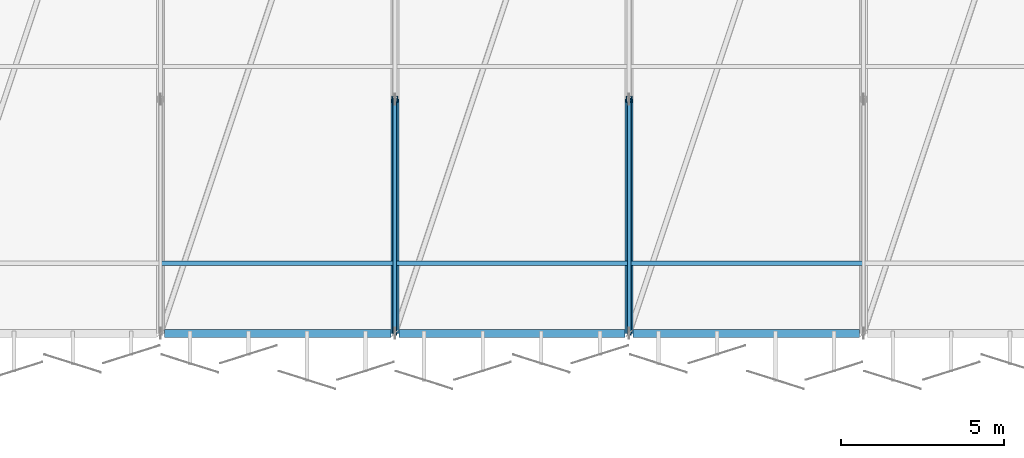
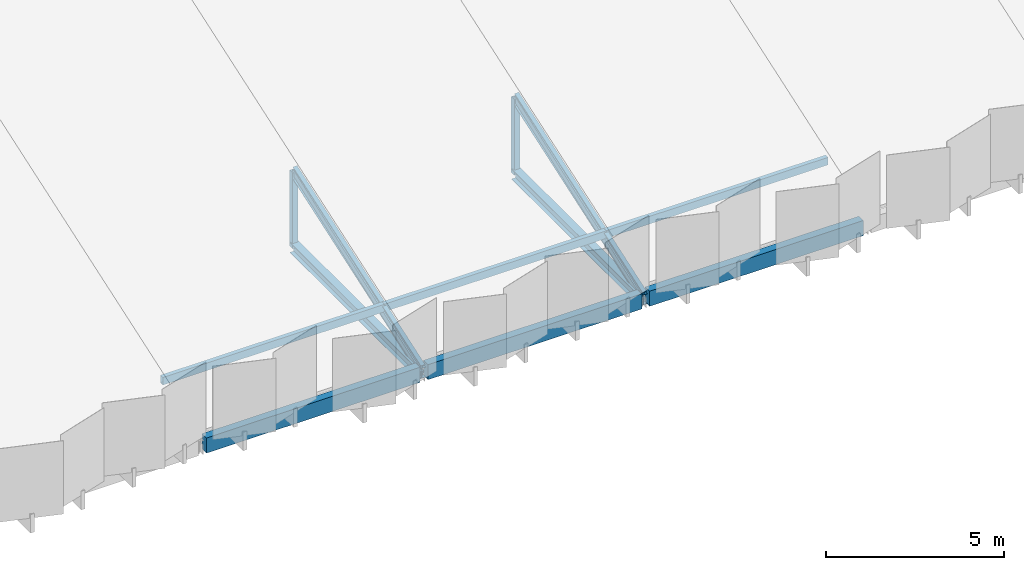
# One storey, part 10 of 59: 11 members, 3 beams.
"""IFC4 building model written with IfcOpenShell, lengths in metres."""

from ifc_helpers import new_model, si_unit, direction, frame, origin, origin_2d, place, context, subcontext, project, spatial, rectangle, hollow_rectangle, i_section, extrude, material, material_profile, profile_set, type_object, element, save


model = new_model("IFC4")

# Units and contexts
model_context = context("Model", 3, precision=1e-05, world=origin(), true_north=direction((0.0, 1.0)))
body_context = subcontext(model_context, "Body", "Model", "MODEL_VIEW")
ifc_project = project(units=[si_unit("LENGTHUNIT", "METRE"), si_unit("AREAUNIT", "SQUARE_METRE"), si_unit("VOLUMEUNIT", "CUBIC_METRE"), si_unit("PLANEANGLEUNIT", "RADIAN"), si_unit("MASSUNIT", "GRAM", prefix="KILO")], contexts=[model_context])

# Site, building, storey
site_placement = place(None, origin())
site = spatial("IfcSite", under=ifc_project, at=site_placement, CompositionType="ELEMENT")
building_placement = place(site_placement, origin())
building = spatial("IfcBuilding", under=site, at=building_placement, Name="Kangsadwip Square Police Headquarters", CompositionType="ELEMENT")
storey_placement = place(building_placement, frame((0.0, 0.0, 21.60009765625)))
storey = spatial("IfcBuildingStorey", under=building, at=storey_placement, Name="L05", CompositionType="ELEMENT", Elevation=21.60009765625)

# Beams
ifc_material_1 = material(Name="Concrete M35 (35 MPa)", Category="concrete")
ifc_material_profile_1 = material_profile(ifc_material_1, rectangle(XDim=0.25, YDim=0.52001953125, at=origin_2d()), Name="RC SPN 520X250")
ifc_profile_set_1 = profile_set([ifc_material_profile_1], Name="Concrete M35 (35 MPa)")
beam_type = type_object("IfcBeamType", Name="RcSpandrel520x250", PredefinedType="SPANDREL", material=ifc_profile_set_1)
for number, where, z_axis, x_axis, name in (
    (1, (108.125, 93.60009765625, -0.47998046875), (1.0, 0.0, 0.0), (0.0, 1.0, 0.0), "Beam BM-L05-X-15-13"),
    (2, (115.324951171875, 93.60009765625, -0.47998046875), (1.0, 0.0, 0.0), (0.0, 1.0, 0.0), "Beam BM-L05-X-16-13"),
):
    element("IfcBeam", number, at=place(storey_placement, frame(where, z_axis=z_axis, x_axis=x_axis)), inside=storey, type_object=beam_type, Name=name, PredefinedType="SPANDREL", context=body_context, shape_type="SweptSolid", body=[
        extrude(rectangle(XDim=0.25, YDim=0.52001953125, at=origin_2d()), origin(), (0.0, 0.0, 1.0), 6.949951171875),
    ])
beam_placement = place(storey_placement, frame((122.52490234375, 93.60009765625, -0.47998046875), z_axis=(1.0, 0.0, 0.0), x_axis=(0.0, 1.0, 0.0)))
element("IfcBeam", 3, at=beam_placement, inside=storey, type_object=beam_type, Name="Beam BM-L05-X-17-13", PredefinedType="SPANDREL", context=body_context, shape_type="SweptSolid", body=[
    extrude(rectangle(XDim=0.25, YDim=0.52001953125, at=origin_2d()), origin(), (0.0, 0.0, 1.0), 6.9501953125),
])

# Members
ifc_material_2 = material(Name="Structural steel IS 2062 E350 (Grade 350, 350 MPa)", Category="steel")
ifc_material_profile_2 = material_profile(ifc_material_2, hollow_rectangle(XDim=0.139892578125, YDim=0.260009765625, WallThickness=0.010009765625, at=origin_2d()), Name="RHS 260X140X10")
ifc_profile_set_2 = profile_set([ifc_material_profile_2], Name="Structural steel IS 2062 E350 (Grade 350, 350 MPa)")
member_type_1 = type_object("IfcMemberType", Name="RoofPurlinRhs260", PredefinedType="PURLIN", material=ifc_profile_set_2)
for number, where, z_axis, x_axis, name in (
    (4, (108.0, 95.760009765625, 0.429931640625), (1.0, 0.0, 0.0), (0.0, 1.0, 0.0), "Truss Member MEM-L05-0208"),
    (5, (115.199951171875, 95.760009765625, 0.429931640625), (1.0, 0.0, 0.0), (0.0, 1.0, 0.0), "Truss Member MEM-L05-0214"),
):
    element("IfcMember", number, at=place(storey_placement, frame(where, z_axis=z_axis, x_axis=x_axis)), inside=storey, type_object=member_type_1, Name=name, PredefinedType="PURLIN", context=body_context, shape_type="SweptSolid", body=[
        extrude(hollow_rectangle(XDim=0.139892578125, YDim=0.260009765625, WallThickness=0.010009765625, at=origin_2d()), origin(), (0.0, 0.0, 1.0), 7.199951171875),
    ])
member_placement = place(storey_placement, frame((122.39990234375, 95.760009765625, 0.429931640625), z_axis=(1.0, 0.0, 0.0), x_axis=(0.0, 1.0, 0.0)))
element("IfcMember", 6, at=member_placement, inside=storey, type_object=member_type_1, Name="Truss Member MEM-L05-0220", PredefinedType="PURLIN", context=body_context, shape_type="SweptSolid", body=[
    extrude(hollow_rectangle(XDim=0.139892578125, YDim=0.260009765625, WallThickness=0.010009765625, at=origin_2d()), origin(), (0.0, 0.0, 1.0), 7.2001953125),
])
ifc_material_3 = material(Name="Structural steel IS 2062 E350 (Grade 350, 350 MPa)", Category="steel")
ifc_material_profile_3 = material_profile(ifc_material_3, i_section(OverallWidth=0.139892578125, OverallDepth=0.39990234375, WebThickness=0.0087890625, FlangeThickness=0.01611328125, at=origin_2d()), Name="ISMB 400")
ifc_profile_set_3 = profile_set([ifc_material_profile_3], Name="Structural steel IS 2062 E350 (Grade 350, 350 MPa)")
member_type_2 = type_object("IfcMemberType", Name="SawtoothRafterIsmb400", PredefinedType="RAFTER", material=ifc_profile_set_3)
for number, where, z_axis, x_axis, name in (
    (7, (115.199951171875, 93.60009765625, -0.420166015625), (0.0, 0.946016781172, 0.324117647993), (-1.0, 0.0, 0.0), "Truss Member MEM-L05-0149"),
    (8, (122.39990234375, 93.60009765625, -0.420166015625), (0.0, 0.946016781172, 0.324117647993), (-1.0, 0.0, 0.0), "Truss Member MEM-L05-0161"),
):
    element("IfcMember", number, at=place(storey_placement, frame(where, z_axis=z_axis, x_axis=x_axis)), inside=storey, type_object=member_type_2, Name=name, PredefinedType="RAFTER", context=body_context, shape_type="SweptSolid", body=[
        extrude(i_section(OverallWidth=0.139892578125, OverallDepth=0.39990234375, WebThickness=0.0087890625, FlangeThickness=0.01611328125, at=origin_2d()), origin(), (0.0, 0.0, 1.0), 7.61083984375),
    ])
ifc_material_4 = material(Name="Structural steel IS 2062 E350 (Grade 350, 350 MPa)", Category="steel")
ifc_material_profile_4 = material_profile(ifc_material_4, i_section(OverallWidth=0.25, OverallDepth=0.35009765625, WebThickness=0.010009765625, FlangeThickness=0.01171875, at=origin_2d()), Name="ISHB 350")
ifc_profile_set_4 = profile_set([ifc_material_profile_4], Name="Structural steel IS 2062 E350 (Grade 350, 350 MPa)")
member_type_3 = type_object("IfcMemberType", Name="TrussBotChordIshb350", PredefinedType="CHORD", material=ifc_profile_set_4)
for number, where, z_axis, x_axis, name in (
    (9, (115.199951171875, 93.60009765625, -0.550048828125), (0.0, 1.0, 0.0), (-1.0, 0.0, 0.0), "Truss Member MEM-L05-0146"),
    (10, (122.39990234375, 93.60009765625, -0.550048828125), (0.0, 1.0, 0.0), (-1.0, 0.0, 0.0), "Truss Member MEM-L05-0158"),
):
    element("IfcMember", number, at=place(storey_placement, frame(where, z_axis=z_axis, x_axis=x_axis)), inside=storey, type_object=member_type_3, Name=name, PredefinedType="CHORD", context=body_context, shape_type="SweptSolid", body=[
        extrude(i_section(OverallWidth=0.25, OverallDepth=0.35009765625, WebThickness=0.010009765625, FlangeThickness=0.01171875, at=origin_2d()), origin(), (0.0, 0.0, 1.0), 7.199951171875),
    ])
ifc_material_5 = material(Name="Structural steel IS 2062 E350 (Grade 350, 350 MPa)", Category="steel")
ifc_material_profile_5 = material_profile(ifc_material_5, hollow_rectangle(XDim=0.10009765625, YDim=0.199951171875, WallThickness=0.008056640625, at=origin_2d()), Name="RHS 200X100X8")
ifc_profile_set_5 = profile_set([ifc_material_profile_5], Name="Structural steel IS 2062 E350 (Grade 350, 350 MPa)")
member_type_4 = type_object("IfcMemberType", Name="TrussBraceRhs200", PredefinedType="BRACE", material=ifc_profile_set_5)
for number, where, z_axis, x_axis, name in (
    (11, (115.199951171875, 93.60009765625, -0.550048828125), (0.0, 0.940691667696, 0.339262709898), (-1.0, 0.0, 0.0), "Truss Member MEM-L05-0155"),
    (12, (122.39990234375, 93.60009765625, -0.550048828125), (0.0, 0.940691667696, 0.339262709898), (-1.0, 0.0, 0.0), "Truss Member MEM-L05-0167"),
):
    element("IfcMember", number, at=place(storey_placement, frame(where, z_axis=z_axis, x_axis=x_axis)), inside=storey, type_object=member_type_4, Name=name, PredefinedType="BRACE", context=body_context, shape_type="SweptSolid", body=[
        extrude(hollow_rectangle(XDim=0.10009765625, YDim=0.199951171875, WallThickness=0.008056640625, at=origin_2d()), origin(), (0.0, 0.0, 1.0), 7.65380859375),
    ])
ifc_material_6 = material(Name="Structural steel IS 2062 E350 (Grade 350, 350 MPa)", Category="steel")
ifc_material_profile_6 = material_profile(ifc_material_6, hollow_rectangle(XDim=0.179931640625, YDim=0.179931640625, WallThickness=0.010009765625, at=origin_2d()), Name="SHS 180X180X10")
ifc_profile_set_6 = profile_set([ifc_material_profile_6], Name="Structural steel IS 2062 E350 (Grade 350, 350 MPa)")
member_type_5 = type_object("IfcMemberType", Name="TrussPostShs180", PredefinedType="POST", material=ifc_profile_set_6)
for number, where, z_axis, x_axis, name in (
    (13, (115.199951171875, 100.800048828125, -0.550048828125), (0.0, 0.0, 1.0), (1.0, 0.0, 0.0), "Truss Member MEM-L05-0152"),
    (14, (122.39990234375, 100.800048828125, -0.550048828125), (0.0, 0.0, 1.0), (1.0, 0.0, 0.0), "Truss Member MEM-L05-0164"),
):
    element("IfcMember", number, at=place(storey_placement, frame(where, z_axis=z_axis, x_axis=x_axis)), inside=storey, type_object=member_type_5, Name=name, PredefinedType="POST", context=body_context, shape_type="SweptSolid", body=[
        extrude(hollow_rectangle(XDim=0.179931640625, YDim=0.179931640625, WallThickness=0.010009765625, at=origin_2d()), origin(), (0.0, 0.0, 1.0), 2.5966796875),
    ])

save(model, "model.ifc")
